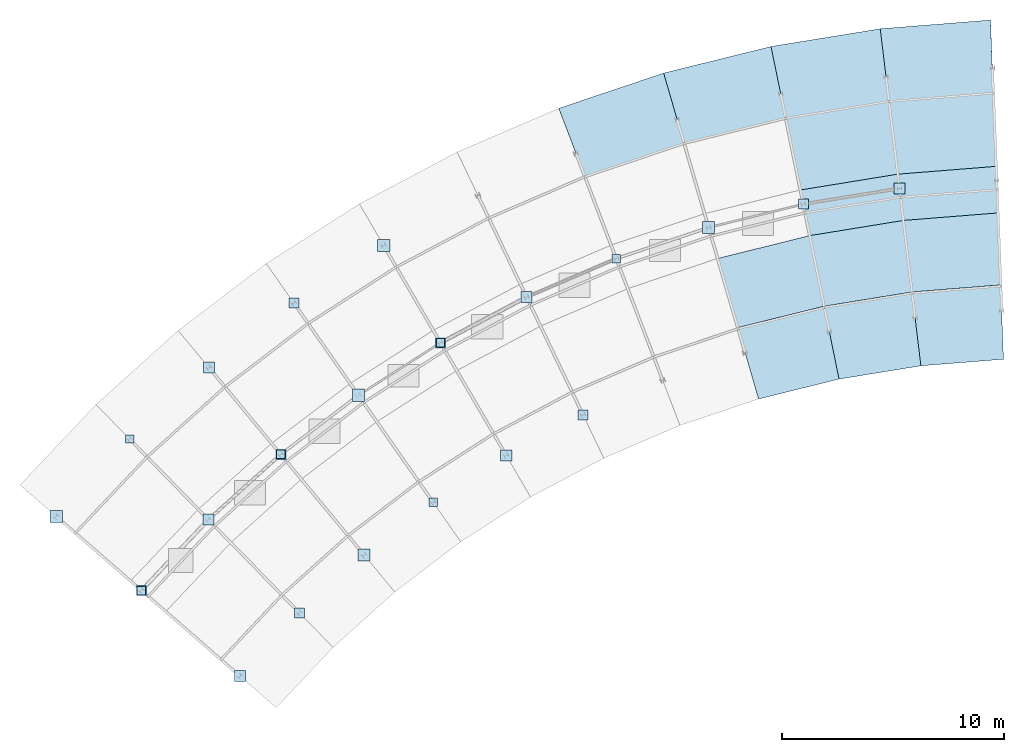
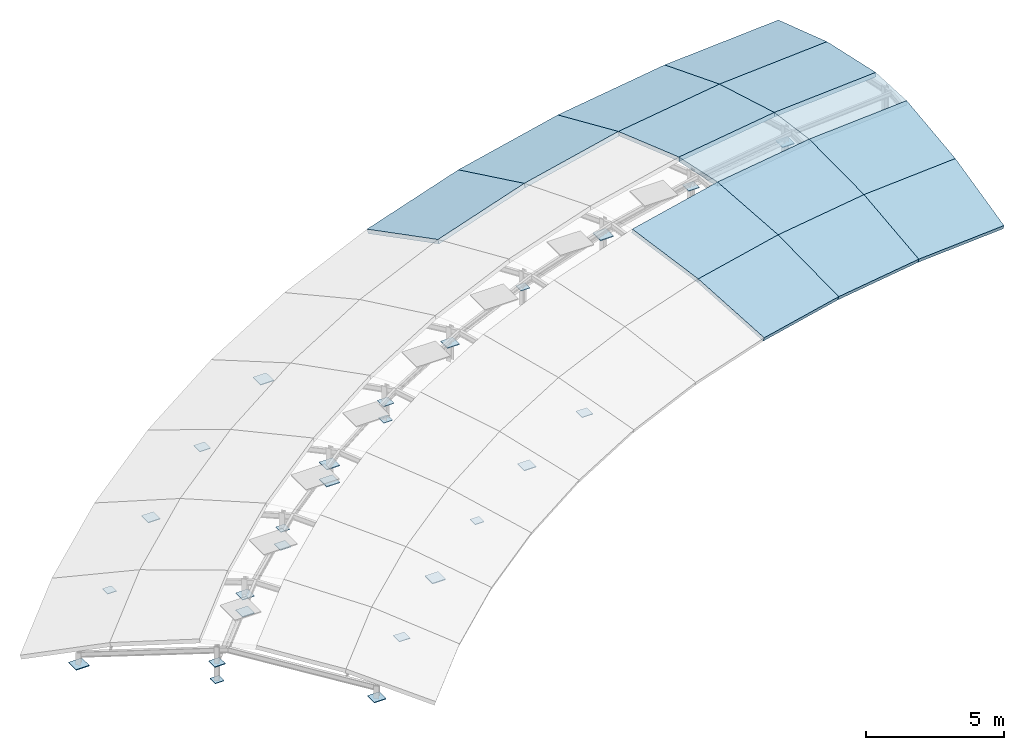
# One storey, part 8 of 8: 26 plates, 14 slabs.
"""IFC4 building model written with IfcOpenShell, lengths in metres."""

import ifcopenshell
import ifcopenshell.guid

model = None  # the IFC model being written
_history = None  # IfcOwnerHistory: only IFC2X3 demands one
_inside = {}  # id of a spatial element -> (the spatial element, [elements in it])
_under = {}  # id of a project, library or spatial element -> (it, [spatial elements below it])
_declared = {}  # id of a project -> (the project, [libraries it declares])
_typed = {}  # id of a type object -> (the type object, [elements of that type])
_made_of = {}  # id of a material, layer set ... -> (it, [elements and type objects made of it])


def new_model(schema):
    """Start an empty IFC model of exactly this schema.

    Asked for "IFC4X3", IfcOpenShell would pick the latest addendum, in which some entities
    have other attributes; the version numbers below select the first issue.
    IFC2X3 requires an IfcOwnerHistory on every rooted entity: one is made here for all.
    """
    global model, _history
    if schema == "IFC4X3":
        model = ifcopenshell.file(schema_version=(4, 3, 0, 0))
    else:
        model = ifcopenshell.file(schema=schema)
    _inside.clear()
    _under.clear()
    _declared.clear()
    _typed.clear()
    _made_of.clear()
    _history = None
    if model.schema == "IFC2X3":
        org = make("IfcOrganization", Name="unknown")
        user = make(
            "IfcPersonAndOrganization",
            ThePerson=make("IfcPerson", FamilyName="unknown"),
            TheOrganization=org,
        )
        app = make(
            "IfcApplication",
            ApplicationDeveloper=org,
            Version="unknown",
            ApplicationFullName="unknown",
            ApplicationIdentifier="unknown",
        )
        _history = make(
            "IfcOwnerHistory",
            OwningUser=user,
            OwningApplication=app,
            ChangeAction="ADDED",
            CreationDate=0,
        )
    return model


def make(cls, **values):
    """One entity of the class cls with the attributes given. An attribute that is None is left unset."""
    return model.create_entity(
        cls, **{name: value for name, value in values.items() if value is not None}
    )


def rooted(cls, **values):
    """An entity with a GlobalId (a new one), such as an element, a storey or a relation."""
    return make(cls, GlobalId=ifcopenshell.guid.new(), OwnerHistory=_history, **values)


def si_unit(unit_type, name, prefix=None):
    """IfcSIUnit, for example si_unit("LENGTHUNIT", "METRE", prefix="MILLI")."""
    return make("IfcSIUnit", UnitType=unit_type, Prefix=prefix, Name=name)


def assignment(units):
    """IfcUnitAssignment: the units of a project."""
    return None if units is None else make("IfcUnitAssignment", Units=units)


def point(xyz):
    """IfcCartesianPoint."""
    return None if xyz is None else make("IfcCartesianPoint", Coordinates=xyz)


def direction(xyz):
    """IfcDirection."""
    return None if xyz is None else make("IfcDirection", DirectionRatios=xyz)


def frame(location, z_axis=None, x_axis=None):
    """IfcAxis2Placement3D, a coordinate frame: its origin and axes. An axis left out is left unset."""
    return make(
        "IfcAxis2Placement3D",
        Location=point(location),
        Axis=direction(z_axis),
        RefDirection=direction(x_axis),
    )


def frame_2d(location, x_axis=None):
    """IfcAxis2Placement2D, a coordinate frame in the plane: its origin and x axis."""
    return make(
        "IfcAxis2Placement2D", Location=point(location), RefDirection=direction(x_axis)
    )


def origin():
    """The frame at (0, 0, 0) with its axes left unset."""
    return frame((0.0, 0.0, 0.0))


def origin_2d():
    """The frame at (0, 0) in the plane with its x axis left unset."""
    return frame_2d((0.0, 0.0))


def place(relative_to, where):
    """IfcLocalPlacement: puts the frame where relative to a parent placement (None: the world)."""
    return make(
        "IfcLocalPlacement", PlacementRelTo=relative_to, RelativePlacement=where
    )


def context(
    kind, dimensions, precision=None, world=None, true_north=None, identifier=None
):
    """IfcGeometricRepresentationContext, for example the 3D "Model" context."""
    return make(
        "IfcGeometricRepresentationContext",
        ContextIdentifier=identifier,
        ContextType=kind,
        CoordinateSpaceDimension=dimensions,
        Precision=precision,
        WorldCoordinateSystem=world,
        TrueNorth=true_north,
    )


def subcontext(parent, identifier, kind, view, scale=None):
    """IfcGeometricRepresentationSubContext, for example "Body" below "Model"."""
    return make(
        "IfcGeometricRepresentationSubContext",
        ContextIdentifier=identifier,
        ContextType=kind,
        ParentContext=parent,
        TargetScale=scale,
        TargetView=view,
    )


def project(units=None, contexts=None):
    """IfcProject with its units and contexts."""
    return rooted(
        "IfcProject",
        Name="project",
        RepresentationContexts=contexts,
        UnitsInContext=assignment(units),
    )


def spatial(cls, under=None, at=None, **own):
    """A site, building, storey or space (cls), placed at a placement, below another one or the project."""
    s = rooted(cls, ObjectPlacement=at, **own)
    if under is not None:
        _under.setdefault(under.id(), (under, []))[1].append(s)
    return s


def polyline(points):
    """IfcPolyline through the points."""
    return make("IfcPolyline", Points=[point(p) for p in points])


def profile(cls, at=None, kind="AREA", **sizes):
    """A parametric profile (cls). Its sizes go by their IFC names, for example OverallWidth=200.0."""
    return make(cls, ProfileType=kind, Position=at, **sizes)


def rectangle(**sizes):
    """IfcRectangleProfileDef."""
    return profile("IfcRectangleProfileDef", **sizes)


def outline(outer, holes=None, kind="AREA"):
    """IfcArbitraryClosedProfileDef: a profile drawn as a closed curve; with holes, ...WithVoids."""
    if holes is None:
        return make("IfcArbitraryClosedProfileDef", ProfileType=kind, OuterCurve=outer)
    return make(
        "IfcArbitraryProfileDefWithVoids",
        ProfileType=kind,
        OuterCurve=outer,
        InnerCurves=holes,
    )


def extrude(swept, where, along, depth):
    """IfcExtrudedAreaSolid: the profile swept, set in the frame where, extruded along a direction by depth."""
    return make(
        "IfcExtrudedAreaSolid",
        SweptArea=swept,
        Position=where,
        ExtrudedDirection=direction(along),
        Depth=depth,
    )


def shape(context_of_items, identifier, shape_type, items):
    """IfcShapeRepresentation: the items that make up one representation, for example the "Body"."""
    return make(
        "IfcShapeRepresentation",
        ContextOfItems=context_of_items,
        RepresentationIdentifier=identifier,
        RepresentationType=shape_type,
        Items=items,
    )


def material(Name=None, Category=None):
    """IfcMaterial."""
    return make("IfcMaterial", Name=Name, Category=Category)


def layer(
    of_material, thickness, ventilated=None, Name=None, Category=None, Priority=None
):
    """IfcMaterialLayer: one layer of a wall or slab, of a material (None: an air gap)."""
    return make(
        "IfcMaterialLayer",
        Material=of_material,
        LayerThickness=thickness,
        IsVentilated=ventilated,
        Name=Name,
        Category=Category,
        Priority=Priority,
    )


def layer_set(layers, Name=None):
    """IfcMaterialLayerSet."""
    return make("IfcMaterialLayerSet", MaterialLayers=layers, LayerSetName=Name)


def made_of(thing, what):
    """Note that an element or type object is made of a material, layer set ...; save() writes the relation."""
    if what is not None:
        _made_of.setdefault(what.id(), (what, []))[1].append(thing)
    return thing


def type_object(cls, material=None, **own):
    """A type object (cls), such as IfcWallType, which elements share."""
    return made_of(rooted(cls, **own), material)


def element(
    cls,
    number,
    at=None,
    inside=None,
    cuts=None,
    type_object=None,
    material=None,
    context=None,
    identifier="Body",
    shape_type=None,
    held_by="IfcProductDefinitionShape",
    body=None,
    shapes=None,
    **own,
):
    """One element of the class cls, such as IfcWall. Its Tag is "e" and its number.

    at: its placement. inside: the storey or other place that contains it. cuts: it is an
    opening in that element (IfcRelVoidsElement). A single representation is given by context,
    identifier, shape_type and body (its items); several are given by shapes. held_by: the class
    of the entity that holds the representations. save() writes the other relations.
    """
    e = rooted(cls, Tag="e%d" % number, ObjectPlacement=at, **own)
    if body is not None:
        shapes = [shape(context, identifier, shape_type, body)]
    if shapes is not None:
        e.Representation = make(held_by, Representations=shapes)
    if inside is not None:
        _inside.setdefault(inside.id(), (inside, []))[1].append(e)
    if cuts is not None:
        rooted(
            "IfcRelVoidsElement", RelatingBuildingElement=cuts, RelatedOpeningElement=e
        )
    if type_object is not None:
        _typed.setdefault(type_object.id(), (type_object, []))[1].append(e)
    return made_of(e, material)


def aggregate(whole, parts):
    """IfcRelAggregates: a whole, such as a stair, and the parts it consists of."""
    return rooted("IfcRelAggregates", RelatingObject=whole, RelatedObjects=parts)


def save(model, path):
    """Write the relations noted so far, then the file.

    IfcRelAggregates (storeys below a building ...), IfcRelContainedInSpatialStructure (elements
    in a storey), IfcRelDefinesByType, IfcRelAssociatesMaterial and IfcRelDeclares: one each for
    every whole, place, type object, material and project.
    """
    for whole, parts in _under.values():
        aggregate(whole, parts)
    for where, things in _inside.values():
        rooted(
            "IfcRelContainedInSpatialStructure",
            RelatedElements=things,
            RelatingStructure=where,
        )
    for kind, things in _typed.values():
        rooted("IfcRelDefinesByType", RelatedObjects=things, RelatingType=kind)
    for what, things in _made_of.values():
        rooted("IfcRelAssociatesMaterial", RelatedObjects=things, RelatingMaterial=what)
    for by, libraries in _declared.values():
        rooted("IfcRelDeclares", RelatingContext=by, RelatedDefinitions=libraries)
    model.write(path)


model = new_model("IFC4")

# Units and contexts
model_context = context("Model", 3, precision=1e-05, world=origin(), true_north=direction((0.0, 1.0)))
body_context = subcontext(model_context, "Body", "Model", "MODEL_VIEW")
ifc_project = project(units=[si_unit("LENGTHUNIT", "METRE"), si_unit("AREAUNIT", "SQUARE_METRE"), si_unit("VOLUMEUNIT", "CUBIC_METRE"), si_unit("PLANEANGLEUNIT", "RADIAN"), si_unit("MASSUNIT", "GRAM", prefix="KILO")], contexts=[model_context])

# Site, building, storey
site_placement = place(None, origin())
site = spatial("IfcSite", under=ifc_project, at=site_placement, CompositionType="ELEMENT")
building_placement = place(site_placement, origin())
building = spatial("IfcBuilding", under=site, at=building_placement, Name="Zimvara Arc Housing Community", CompositionType="ELEMENT")
storey_placement = place(building_placement, frame((0.0, 0.0, 45.300048828125)))
storey = spatial("IfcBuildingStorey", under=building, at=storey_placement, Name="RF", CompositionType="ELEMENT", Elevation=45.300048828125)

# Plates
ifc_material_1 = material(Name="Steel S355", Category="steel")
ifc_layer_1 = layer(ifc_material_1, 0.02490234375)
ifc_layer_set_1 = layer_set([ifc_layer_1], Name="Steel S355")
plate_type_1 = type_object("IfcPlateType", Name="PLT-CONN-01", PredefinedType="SHEET", material=ifc_layer_set_1)
for number, where, z_axis, x_axis, name in (
    (1, (11.52001953125, 78.784423828125, 0.0), (0.0, 0.0, 1.0), (1.0, 0.0, 0.0), "plate:conn:04"),
    (2, (10.677734375, 85.9296875, 0.0), (0.0, 0.0, 1.0), (1.0, 0.0, 0.0), "plate:conn:08"),
    (3, (11.261474609375, 92.755126953125, 0.0), (0.0, 0.0, 1.0), (1.0, 0.0, 0.0), "plate:conn:12"),
    (4, (24.29443359375, 87.7158203125, 0.0), (0.0, 0.0, 1.0), (1.0, 0.0, 0.0), "plate:conn:16"),
    (5, (4.396728515625, 79.7958984375, 0.757568359375), (0.0, 0.0, 1.0), (1.0, 0.0, 0.0), "plate:brace_end:001"),
    (6, (17.87255859375, 90.960205078125, 0.757568359375), (0.0, 0.0, 1.0), (1.0, 0.0, 0.0), "plate:brace_end:005"),
    (7, (34.21875, 97.208740234375, 0.757568359375), (0.0, 0.0, 1.0), (1.0, 0.0, 0.0), "plate:brace_end:009"),
):
    element("IfcPlate", number, at=place(storey_placement, frame(where, z_axis=z_axis, x_axis=x_axis)), inside=storey, type_object=plate_type_1, Name=name, PredefinedType="SHEET", context=body_context, shape_type="SweptSolid", body=[
        extrude(rectangle(XDim=0.449951171875, YDim=0.449951171875, at=origin_2d()), origin(), (0.0, 0.0, 1.0), 0.02490234375),
    ])
ifc_material_2 = material(Name="Steel S355", Category="steel")
ifc_layer_2 = layer(ifc_material_2, 0.030029296875)
ifc_layer_set_2 = layer_set([ifc_layer_2], Name="Steel S355")
plate_type_2 = type_object("IfcPlateType", Name="PLT-CONN-02", PredefinedType="SHEET", material=ifc_layer_set_2)
for number, where, z_axis, x_axis, name in (
    (8, (8.834228515625, 75.938232421875, 0.0), (0.0, 0.0, 1.0), (1.0, 0.0, 0.0), "plate:conn:01"),
    (9, (7.411865234375, 82.9912109375, 0.0), (0.0, 0.0, 1.0), (1.0, 0.0, 0.0), "plate:conn:05"),
    (10, (7.436767578125, 89.841552734375, 0.0), (0.0, 0.0, 1.0), (1.0, 0.0, 0.0), "plate:conn:09"),
    (11, (20.83740234375, 85.88232421875, 0.0), (0.0, 0.0, 1.0), (1.0, 0.0, 0.0), "plate:conn:13"),
    (12, (7.411865234375, 82.9912109375, 0.7548828125), (0.0, 0.0, 1.0), (1.0, 0.0, 0.0), "plate:brace_end:002"),
    (13, (21.75390625, 93.0185546875, 0.7548828125), (0.0, 0.0, 1.0), (1.0, 0.0, 0.0), "plate:brace_end:006"),
    (14, (38.55517578125, 97.91259765625, 0.7548828125), (0.0, 0.0, 1.0), (1.0, 0.0, 0.0), "plate:brace_end:010"),
):
    element("IfcPlate", number, at=place(storey_placement, frame(where, z_axis=z_axis, x_axis=x_axis)), inside=storey, type_object=plate_type_2, Name=name, PredefinedType="SHEET", context=body_context, shape_type="SweptSolid", body=[
        extrude(rectangle(XDim=0.5, YDim=0.5, at=origin_2d()), origin(), (0.0, 0.0, 1.0), 0.030029296875),
    ])
ifc_material_3 = material(Name="Steel S355", Category="steel")
ifc_layer_3 = layer(ifc_material_3, 0.02197265625)
ifc_layer_set_3 = layer_set([ifc_layer_3], Name="Steel S355")
plate_type_3 = type_object("IfcPlateType", Name="PLT-CONN-03", PredefinedType="SHEET", material=ifc_layer_set_3)
for number, where, z_axis, x_axis, name in (
    (15, (4.396728515625, 79.7958984375, 0.0), (0.0, 0.0, 1.0), (1.0, 0.0, 0.0), "plate:conn:02"),
    (16, (3.862548828125, 86.625732421875, 0.0), (0.0, 0.0, 1.0), (1.0, 0.0, 0.0), "plate:conn:06"),
    (17, (17.541748046875, 83.77294921875, 0.0), (0.0, 0.0, 1.0), (1.0, 0.0, 0.0), "plate:conn:10"),
    (18, (17.87255859375, 90.960205078125, 0.0), (0.0, 0.0, 1.0), (1.0, 0.0, 0.0), "plate:conn:14"),
    (19, (10.677734375, 85.9296875, 0.759033203125), (0.0, 0.0, 1.0), (1.0, 0.0, 0.0), "plate:brace_end:003"),
    (20, (25.7900390625, 94.75341796875, 0.759033203125), (0.0, 0.0, 1.0), (1.0, 0.0, 0.0), "plate:brace_end:007"),
):
    element("IfcPlate", number, at=place(storey_placement, frame(where, z_axis=z_axis, x_axis=x_axis)), inside=storey, type_object=plate_type_3, Name=name, PredefinedType="SHEET", context=body_context, shape_type="SweptSolid", body=[
        extrude(rectangle(XDim=0.3798828125, YDim=0.3798828125, at=origin_2d()), origin(), (0.0, 0.0, 1.0), 0.02197265625),
    ])
ifc_material_4 = material(Name="Steel S355", Category="steel")
ifc_layer_4 = layer(ifc_material_4, 0.034912109375)
ifc_layer_set_4 = layer_set([ifc_layer_4], Name="Steel S355")
plate_type_4 = type_object("IfcPlateType", Name="PLT-CONN-04", PredefinedType="SHEET", material=ifc_layer_set_4)
for number, where, z_axis, x_axis, name in (
    (21, (0.562744140625, 83.128662109375, 0.0), (0.0, 0.0, 1.0), (1.0, 0.0, 0.0), "plate:conn:03"),
    (22, (14.428955078125, 81.401611328125, 0.0), (0.0, 0.0, 1.0), (1.0, 0.0, 0.0), "plate:conn:07"),
    (23, (14.17236328125, 88.591796875, 0.0), (0.0, 0.0, 1.0), (1.0, 0.0, 0.0), "plate:conn:11"),
    (24, (15.311279296875, 95.34716796875, 0.0), (0.0, 0.0, 1.0), (1.0, 0.0, 0.0), "plate:conn:15"),
    (25, (14.17236328125, 88.591796875, 0.75244140625), (0.0, 0.0, 1.0), (1.0, 0.0, 0.0), "plate:brace_end:004"),
    (26, (29.9541015625, 96.1533203125, 0.75244140625), (0.0, 0.0, 1.0), (1.0, 0.0, 0.0), "plate:brace_end:008"),
):
    element("IfcPlate", number, at=place(storey_placement, frame(where, z_axis=z_axis, x_axis=x_axis)), inside=storey, type_object=plate_type_4, Name=name, PredefinedType="SHEET", context=body_context, shape_type="SweptSolid", body=[
        extrude(rectangle(XDim=0.550048828125, YDim=0.550048828125, at=origin_2d()), origin(), (0.0, 0.0, 1.0), 0.034912109375),
    ])

# Slabs
ifc_material_5 = material(Name="Concrete C40/50", Category="concrete")
ifc_layer_5 = layer(ifc_material_5, 0.179931640625)
ifc_layer_set_5 = layer_set([ifc_layer_5], Name="Concrete C40/50")
slab_type_1 = type_object("IfcSlabType", Name="SLB-BRL-ROOF-180", PredefinedType="ROOF", material=ifc_layer_set_5)
slab_1_placement = place(storey_placement, frame((27.9267578125, 103.114013671875, 0.119873046875), z_axis=(-0.09247516738, 0.275102849647, 0.95695703432), x_axis=(-0.947886389233, -0.318608526361, -6.101609e-06)))
element("IfcSlab", 27, at=slab_1_placement, inside=storey, type_object=slab_type_1, Name="roof:blkA:out2:b6:t0", PredefinedType="ROOF", context=body_context, shape_type="SweptSolid", body=[
    extrude(outline(polyline([(0.0, 0.0), (4.985389653929499, 0.0), (4.8504479207308995, 3.4456496309847706), (0.13465510329541425, 3.445445679281157), (0.0, 0.0)])), origin(), (0.0, 0.0, -1.0), 0.179931640625),
])
slab_2_placement = place(storey_placement, frame((32.20556640625, 88.424560546875, 0.119873046875), z_axis=(0.069723245271, -0.281739761874, 0.956954218157), x_axis=(0.970716409036, 0.240228335606, 3.92697e-07)))
element("IfcSlab", 28, at=slab_2_placement, inside=storey, type_object=slab_type_1, Name="roof:blkA:in1:b7:t0", PredefinedType="ROOF", context=body_context, shape_type="SweptSolid", body=[
    extrude(outline(polyline([(0.0, 0.0), (3.7358644779074552, 0.0), (3.8704920356477603, 3.4454321896104467), (-0.13473225256564772, 3.445442663410225), (0.0, 0.0)])), origin(), (0.0, 0.0, -1.0), 0.179931640625),
])
slab_3_placement = place(storey_placement, frame((31.28271484375, 91.5927734375, 1.119873046875), z_axis=(0.04301112425, -0.173807810552, 0.983839869177), x_axis=(0.970717100929, 0.240225539778, 1.464941e-06)))
element("IfcSlab", 29, at=slab_3_placement, inside=storey, type_object=slab_type_1, Name="roof:blkA:in2:b7:t0", PredefinedType="ROOF", context=body_context, shape_type="SweptSolid", body=[
    extrude(outline(polyline([(0.0, 0.0), (4.005224288222957, 0.0), (4.1399014849248985, 3.3515198688379972), (-0.13491960511377568, 3.35158761382759), (0.0, 0.0)])), origin(), (0.0, 0.0, -1.0), 0.179931640625),
])
slab_4_placement = place(storey_placement, frame((32.765869140625, 104.3115234375, 0.119873046875), z_axis=(-0.069721064497, 0.281740301595, 0.956954218144), x_axis=(-0.970718766589, -0.240218808988, -2.36209e-07)))
element("IfcSlab", 30, at=slab_4_placement, inside=storey, type_object=slab_type_1, Name="roof:blkA:out2:b7:t0", PredefinedType="ROOF", context=body_context, shape_type="SweptSolid", body=[
    extrude(outline(polyline([(0.0, 0.0), (4.985080549474946, 0.0), (4.850315309976779, 3.445441373315268), (0.13459457090192664, 3.4454334783872294), (0.0, 0.0)])), origin(), (0.0, 0.0, -1.0), 0.179931640625),
])
slab_5_placement = place(storey_placement, frame((35.83203125, 89.322021484375, 0.119873046875), z_axis=(0.046509333371, -0.286488706127, 0.95695407579), x_axis=(0.987077534136, 0.160243382402, -4.16747e-07)))
element("IfcSlab", 31, at=slab_5_placement, inside=storey, type_object=slab_type_1, Name="roof:blkA:in1:b8:t0", PredefinedType="ROOF", context=body_context, shape_type="SweptSolid", body=[
    extrude(outline(polyline([(0.0, 0.0), (3.735775353818671, -1.1102230246251565e-16), (3.870596084700039, 3.445437411866831), (-0.13477829033286443, 3.445426296550488), (0.0, 0.0)])), origin(), (0.0, 0.0, -1.0), 0.179931640625),
])
slab_6_placement = place(storey_placement, frame((35.170654296875, 92.554931640625, 1.119873046875), z_axis=(0.028692655085, -0.176738308546, 0.983839571189), x_axis=(0.98707708297, 0.160246161497, -2.30475e-07)))
element("IfcSlab", 32, at=slab_6_placement, inside=storey, type_object=slab_type_1, Name="roof:blkA:in2:b8:t0", PredefinedType="ROOF", context=body_context, shape_type="SweptSolid", body=[
    extrude(outline(polyline([(0.0, 0.0), (4.0053743750485475, 0.0), (4.1402437899531925, 3.351528420823835), (-0.1347296063411423, 3.3515177624081316), (0.0, 0.0)])), origin(), (0.0, 0.0, -1.0), 0.179931640625),
])
slab_7_placement = place(storey_placement, frame((37.686767578125, 105.1103515625, 0.119873046875), z_axis=(-0.046506464662, 0.286489171818, 0.956954075792), x_axis=(-0.987078713765, -0.160236115876, 3.87493e-07)))
element("IfcSlab", 33, at=slab_7_placement, inside=storey, type_object=slab_type_1, Name="roof:blkA:out2:b8:t0", PredefinedType="ROOF", context=body_context, shape_type="SweptSolid", body=[
    extrude(outline(polyline([(0.0, 0.0), (4.98531521626034, -3.3306690738754696e-16), (4.850513457963357, 3.445425378449702), (0.13479726282468948, 3.445438330096845), (0.0, 0.0)])), origin(), (0.0, 0.0, -1.0), 0.179931640625),
])
slab_8_placement = place(storey_placement, frame((38.08203125, 101.834228515625, 1.119873046875), z_axis=(-0.028688950744, 0.176737868356, 0.983839758291), x_axis=(-0.987079184767, -0.160233214403, 1.027241e-06)))
element("IfcSlab", 34, at=slab_8_placement, inside=storey, type_object=slab_type_1, Name="roof:blkA:out1:b8:t0", PredefinedType="ROOF", context=body_context, shape_type="SweptSolid", body=[
    extrude(outline(polyline([(0.0, 0.0), (4.7157161951543145, 2.220446049250313e-16), (4.580944093534378, 3.351516053842445), (0.13458593333148022, 3.3515686179216133), (0.0, 0.0)])), origin(), (0.0, 0.0, -1.0), 0.179931640625),
])
slab_9_placement = place(storey_placement, frame((39.51953125, 89.920654296875, 0.119873046875), z_axis=(0.022974423156, -0.289322128099, 0.95695605023), x_axis=(0.9968633864, 0.079141574588, -5.17525e-06)))
element("IfcSlab", 35, at=slab_9_placement, inside=storey, type_object=slab_type_1, Name="roof:blkA:in1:b9:t0", PredefinedType="ROOF", context=body_context, shape_type="SweptSolid", body=[
    extrude(outline(polyline([(0.0, 0.0), (3.7358385114678287, 0.0), (3.870743007558381, 3.4455781578765805), (-0.1347515212410362, 3.4454401193003905), (0.0, 0.0)])), origin(), (0.0, 0.0, -1.0), 0.179931640625),
])
slab_10_placement = place(storey_placement, frame((39.124267578125, 93.19677734375, 1.119873046875), z_axis=(0.014174813239, -0.178491782349, 0.983839294958), x_axis=(0.996860687399, 0.079175563872, 1.904218e-06)))
element("IfcSlab", 36, at=slab_10_placement, inside=storey, type_object=slab_type_1, Name="roof:blkA:in2:b9:t0", PredefinedType="ROOF", context=body_context, shape_type="SweptSolid", body=[
    extrude(outline(polyline([(0.0, 0.0), (4.005494531221431, 0.0), (4.14027439572984, 3.3514506501851047), (-0.13461345341052147, 3.351538711214343), (0.0, 0.0)])), origin(), (0.0, 0.0, -1.0), 0.179931640625),
])
slab_11_placement = place(storey_placement, frame((42.656494140625, 105.5048828125, 0.119873046875), z_axis=(-0.0229715064, 0.289331418603, 0.956953311349), x_axis=(-0.996863621307, -0.079138615797, -2.268744e-06)))
element("IfcSlab", 37, at=slab_11_placement, inside=storey, type_object=slab_type_1, Name="roof:blkA:out2:b9:t0", PredefinedType="ROOF", context=body_context, shape_type="SweptSolid", body=[
    extrude(outline(polyline([(0.0, 0.0), (4.985362275011209, 5.551115123125783e-17), (4.8506038740623305, 3.4454398502663843), (0.13463492009888578, 3.445364017546967), (0.0, 0.0)])), origin(), (0.0, 0.0, -1.0), 0.179931640625),
])
slab_12_placement = place(storey_placement, frame((42.783203125, 102.20751953125, 1.119873046875), z_axis=(-0.014175326498, 0.178491741596, 0.983839294957), x_axis=(-0.996862311933, -0.079155107487, -2.353792e-06)))
element("IfcSlab", 38, at=slab_12_placement, inside=storey, type_object=slab_type_1, Name="roof:blkA:out1:b9:t0", PredefinedType="ROOF", context=body_context, shape_type="SweptSolid", body=[
    extrude(outline(polyline([(0.0, 0.0), (4.715968954574453, 0.0), (4.581041906604607, 3.351554902684839), (0.13495302090270342, 3.3514344607299833), (0.0, 0.0)])), origin(), (0.0, 0.0, -1.0), 0.179931640625),
])
ifc_material_6 = material(Name="Concrete C40/50", Category="concrete")
ifc_layer_6 = layer(ifc_material_6, 0.205078125)
ifc_layer_set_6 = layer_set([ifc_layer_6], Name="Concrete C40/50")
slab_type_2 = type_object("IfcSlabType", Name="SLB-CURB-ROOF-205", PredefinedType="ROOF", material=ifc_layer_set_6)
slab_13_placement = place(storey_placement, frame((0.0, 0.0, 1.514892578125)))
element("IfcSlab", 39, at=slab_13_placement, inside=storey, type_object=slab_type_2, Name="roof:blkA:curb:b8", PredefinedType="ROOF", context=body_context, shape_type="SweptSolid", body=[
    extrude(outline(polyline([(34.50927734375, 95.7880859375), (38.72900390625, 96.47314453125), (38.4775390625, 98.557861328125), (34.088623046875, 97.845458984375), (34.50927734375, 95.7880859375)])), origin(), (0.0, 0.0, 1.0), 0.205078125),
])
slab_14_placement = place(storey_placement, frame((0.0, 0.0, 1.514892578125)))
element("IfcSlab", 40, at=slab_14_placement, inside=storey, type_object=slab_type_2, Name="roof:blkA:curb:b9", PredefinedType="ROOF", context=body_context, shape_type="SweptSolid", body=[
    extrude(outline(polyline([(38.72900390625, 96.47314453125), (42.990478515625, 96.8115234375), (42.90966796875, 98.909912109375), (38.4775390625, 98.557861328125), (38.72900390625, 96.47314453125)])), origin(), (0.0, 0.0, 1.0), 0.205078125),
])

save(model, "model.ifc")
